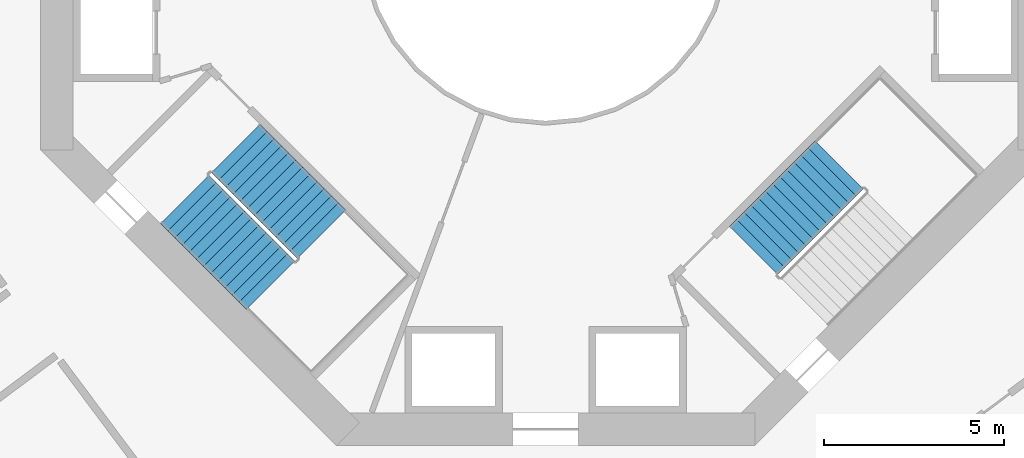
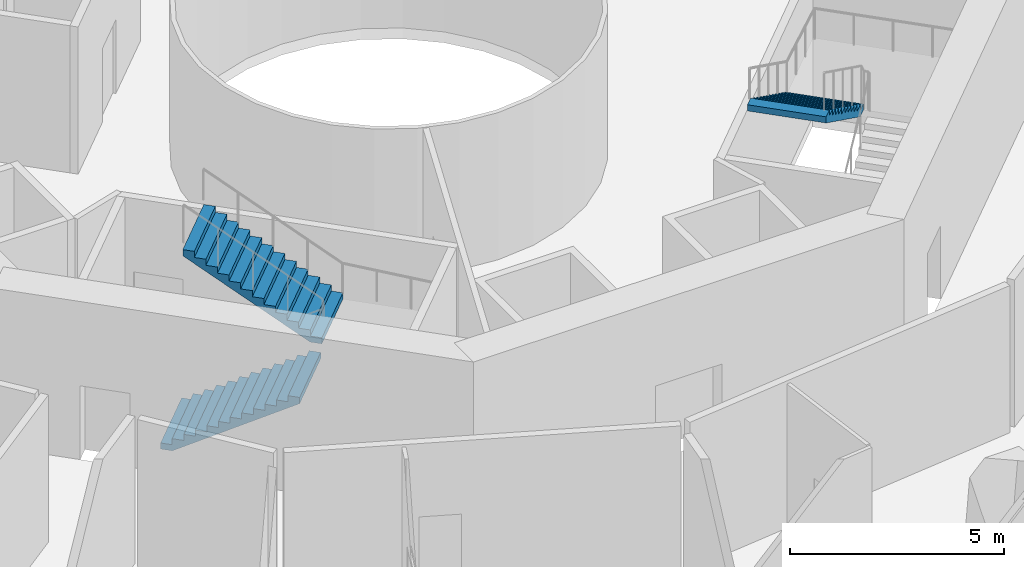
# One storey, part 15 of 17: 3 stair flights, 2 elements without a shape of their own.
"""IFC4 building model written with IfcOpenShell, lengths in metres."""

from ifc_helpers import new_model, si_unit, direction, frame, origin, place, context, subcontext, project, spatial, triangles, material, type_object, element, aggregate, save


model = new_model("IFC4")

# Units and contexts
model_context = context("Model", 3, precision=1e-05, world=origin(), true_north=direction((0.0, 1.0)))
body_context = subcontext(model_context, "Body", "Model", "MODEL_VIEW")
ifc_project = project(units=[si_unit("LENGTHUNIT", "METRE"), si_unit("AREAUNIT", "SQUARE_METRE"), si_unit("VOLUMEUNIT", "CUBIC_METRE"), si_unit("PLANEANGLEUNIT", "RADIAN"), si_unit("MASSUNIT", "GRAM", prefix="KILO")], contexts=[model_context])

# Site, building, storey
site_placement = place(None, origin())
site = spatial("IfcSite", under=ifc_project, at=site_placement, CompositionType="ELEMENT")
building_placement = place(site_placement, origin())
building = spatial("IfcBuilding", under=site, at=building_placement, Name="Verdalira Terraces Hotel", CompositionType="ELEMENT")
storey_placement = place(building_placement, frame((0.0, 0.0, 60.0)))
storey = spatial("IfcBuildingStorey", under=building, at=storey_placement, Name="L13", CompositionType="ELEMENT", Elevation=60.0)

# Stair, stair flights
ifc_material_1 = material(Name="Concrete C40", Category="concrete")
stair_type = type_object("IfcStairType", Name="Core stair 26 risers 1900 mm wide", PredefinedType="HALF_TURN_STAIR", material=ifc_material_1)
stair_1_placement = place(storey_placement, origin())
stair_1 = element("IfcStair", 1, at=stair_1_placement, inside=storey, type_object=stair_type, Name="L13 Exit stair ST2", PredefinedType="HALF_TURN_STAIR")
ifc_material_2 = material(Name="Concrete C40", Category="concrete")
stair_flight_type = type_object("IfcStairFlightType", Name="Core stair flight 26 risers 1900 mm wide", PredefinedType="STRAIGHT", material=ifc_material_2)
stair_flight_1_placement = place(storey_placement, frame((-10.005615, -7.177246, 0.0), z_axis=(0.0, 0.0, 1.0), x_axis=(0.707106781, -0.707106781, 0.0)))
stair_flight_1 = element("IfcStairFlight", 2, at=stair_flight_1_placement, type_object=stair_flight_type, Name="ST2 flight 1", NumberOfRisers=13, NumberOfTreads=12, PredefinedType="STRAIGHT", RiserHeight=0.173076923, TreadLength=0.28, context=body_context, shape_type="Tessellation", body=[
    triangles([(0.0, 0.949951, 0.0), (0.285156, 0.949951, 0.0), (3.360107, 0.949951, 1.900635), (0.0, -0.949951, 0.0), (0.285156, -0.949951, 0.0), (3.360107, -0.949951, 1.900635), (3.360107, 0.949951, 2.076904), (3.080078, 0.949951, 2.076904), (3.360107, -0.949951, 2.076904), (3.080078, -0.949951, 2.076904), (3.080078, 0.949951, 1.903809), (3.080078, -0.949951, 1.903809), (2.800049, 0.949951, 1.903809), (2.800049, -0.949951, 1.903809), (2.800049, 0.949951, 1.730713), (2.800049, -0.949951, 1.730713), (2.52002, 0.949951, 1.730713), (2.52002, 0.949951, 1.557617), (2.52002, -0.949951, 1.730713), (2.52002, -0.949951, 1.557617), (2.23999, 0.949951, 1.557617), (2.23999, 0.949951, 1.384521), (2.23999, -0.949951, 1.557617), (2.23999, -0.949951, 1.384521), (1.959961, 0.949951, 1.384521), (1.959961, 0.949951, 1.211426), (1.959961, -0.949951, 1.384521), (1.959961, -0.949951, 1.211426), (1.679932, 0.949951, 1.211426), (1.679932, 0.949951, 1.038574), (1.679932, -0.949951, 1.211426), (1.679932, -0.949951, 1.038574), (1.399902, 0.949951, 1.038574), (1.399902, 0.949951, 0.865479), (1.399902, -0.949951, 1.038574), (1.399902, -0.949951, 0.865479), (1.120117, 0.949951, 0.865479), (1.120117, 0.949951, 0.692383), (1.120117, -0.949951, 0.865479), (1.120117, -0.949951, 0.692383), (0.840088, 0.949951, 0.692383), (0.840088, 0.949951, 0.519287), (0.840088, -0.949951, 0.692383), (0.840088, -0.949951, 0.519287), (0.560059, 0.949951, 0.519287), (0.560059, 0.949951, 0.346191), (0.560059, -0.949951, 0.519287), (0.560059, -0.949951, 0.346191), (0.280029, 0.949951, 0.346191), (0.280029, 0.949951, 0.173096), (0.280029, -0.949951, 0.346191), (0.280029, -0.949951, 0.173096), (0.0, 0.949951, 0.173096), (0.0, -0.949951, 0.173096), (0.0, -0.890579, 0.0), (0.0, -0.890579, 0.173096), (0.0, -0.831207, 0.0), (0.0, -0.831207, 0.173096), (0.0, -0.771835, 0.0), (0.0, -0.771835, 0.173096), (0.0, -0.712463, 0.0), (0.0, -0.712463, 0.173096), (0.0, -0.653091, 0.0), (0.0, -0.653091, 0.173096), (0.0, -0.593719, 0.0), (0.0, -0.593719, 0.173096), (0.0, -0.534348, 0.0), (0.0, -0.534348, 0.173096), (0.0, -0.474976, 0.0), (0.0, -0.474976, 0.173096), (0.0, -0.415604, 0.0), (0.0, -0.415604, 0.173096), (0.0, -0.356232, 0.0), (0.0, -0.356232, 0.173096), (0.0, -0.29686, 0.0), (0.0, -0.29686, 0.173096), (0.0, -0.237488, 0.0), (0.0, -0.237488, 0.173096), (0.0, -0.178116, 0.0), (0.0, -0.178116, 0.173096), (0.0, -0.118744, 0.0), (0.0, -0.118744, 0.173096), (0.0, -0.059372, 0.0), (0.0, -0.059372, 0.173096), (0.0, 0.0, 0.0), (0.0, 0.0, 0.173096), (0.0, 0.059372, 0.0), (0.0, 0.059372, 0.173096), (0.0, 0.118744, 0.0), (0.0, 0.118744, 0.173096), (0.0, 0.178116, 0.0), (0.0, 0.178116, 0.173096), (0.0, 0.237488, 0.0), (0.0, 0.237488, 0.173096), (0.0, 0.29686, 0.0), (0.0, 0.29686, 0.173096), (0.0, 0.356232, 0.0), (0.0, 0.356232, 0.173096), (0.0, 0.415604, 0.0), (0.0, 0.415604, 0.173096), (0.0, 0.474976, 0.0), (0.0, 0.474976, 0.173096), (0.0, 0.534348, 0.0), (0.0, 0.534348, 0.173096), (0.0, 0.593719, 0.0), (0.0, 0.593719, 0.173096), (0.0, 0.653091, 0.0), (0.0, 0.653091, 0.173096), (0.0, 0.712463, 0.0), (0.0, 0.712463, 0.173096), (0.0, 0.771835, 0.0), (0.0, 0.771835, 0.173096), (0.0, 0.831207, 0.0), (0.0, 0.831207, 0.173096), (0.0, 0.890579, 0.0), (0.0, 0.890579, 0.173096), (3.360107, -0.890579, 2.076904), (3.360107, -0.831207, 2.076904), (3.360107, -0.771835, 2.076904), (3.360107, -0.712463, 2.076904), (3.360107, -0.653091, 2.076904), (3.360107, -0.593719, 2.076904), (3.360107, -0.534348, 2.076904), (3.360107, -0.474976, 2.076904), (3.360107, -0.415604, 2.076904), (3.360107, -0.356232, 2.076904), (3.360107, -0.29686, 2.076904), (3.360107, -0.237488, 2.076904), (3.360107, -0.178116, 2.076904), (3.360107, -0.118744, 2.076904), (3.360107, -0.059372, 2.076904), (3.360107, 0.0, 2.076904), (3.360107, 0.059372, 2.076904), (3.360107, 0.118744, 2.076904), (3.360107, 0.178116, 2.076904), (3.360107, 0.237488, 2.076904), (3.360107, 0.29686, 2.076904), (3.360107, 0.356232, 2.076904), (3.360107, 0.415604, 2.076904), (3.360107, 0.474976, 2.076904), (3.360107, 0.534348, 2.076904), (3.360107, 0.593719, 2.076904), (3.360107, 0.653091, 2.076904), (3.360107, 0.712463, 2.076904), (3.360107, 0.771835, 2.076904), (3.360107, 0.831207, 2.076904), (3.360107, 0.890579, 2.076904), (3.360107, -0.890579, 1.900635), (3.360107, -0.831207, 1.900635), (3.360107, -0.771835, 1.900635), (3.360107, -0.712463, 1.900635), (3.360107, -0.653091, 1.900635), (3.360107, -0.593719, 1.900635), (3.360107, -0.534348, 1.900635), (3.360107, -0.474976, 1.900635), (3.360107, -0.415604, 1.900635), (3.360107, -0.356232, 1.900635), (3.360107, -0.29686, 1.900635), (3.360107, -0.237488, 1.900635), (3.360107, -0.178116, 1.900635), (3.360107, -0.118744, 1.900635), (3.360107, -0.059372, 1.900635), (3.360107, 0.0, 1.900635), (3.360107, 0.059372, 1.900635), (3.360107, 0.118744, 1.900635), (3.360107, 0.178116, 1.900635), (3.360107, 0.237488, 1.900635), (3.360107, 0.29686, 1.900635), (3.360107, 0.356232, 1.900635), (3.360107, 0.415604, 1.900635), (3.360107, 0.474976, 1.900635), (3.360107, 0.534348, 1.900635), (3.360107, 0.593719, 1.900635), (3.360107, 0.653091, 1.900635), (3.360107, 0.712463, 1.900635), (3.360107, 0.771835, 1.900635), (3.360107, 0.831207, 1.900635), (3.360107, 0.890579, 1.900635)], [[1, 3, 2], [4, 5, 6], [3, 8, 7], [6, 9, 10], [3, 11, 8], [6, 10, 12], [3, 13, 11], [6, 12, 14], [3, 15, 13], [6, 14, 16], [15, 18, 17], [16, 19, 20], [3, 18, 15], [6, 16, 20], [18, 22, 21], [20, 23, 24], [3, 22, 18], [6, 20, 24], [22, 26, 25], [24, 27, 28], [3, 26, 22], [6, 24, 28], [1, 26, 3], [4, 6, 28], [26, 30, 29], [28, 31, 32], [30, 34, 33], [32, 35, 36], [26, 34, 30], [28, 32, 36], [34, 38, 37], [36, 39, 40], [26, 38, 34], [28, 36, 40], [38, 42, 41], [40, 43, 44], [26, 42, 38], [28, 40, 44], [42, 46, 45], [44, 47, 48], [26, 46, 42], [28, 44, 48], [46, 50, 49], [48, 51, 52], [26, 50, 46], [28, 48, 52], [1, 50, 26], [4, 28, 52], [50, 1, 53], [52, 54, 4], [4, 56, 55], [4, 54, 56], [55, 58, 57], [55, 56, 58], [57, 60, 59], [57, 58, 60], [59, 62, 61], [59, 60, 62], [61, 64, 63], [61, 62, 64], [63, 66, 65], [63, 64, 66], [65, 68, 67], [65, 66, 68], [67, 70, 69], [67, 68, 70], [69, 72, 71], [69, 70, 72], [71, 74, 73], [71, 72, 74], [73, 76, 75], [73, 74, 76], [75, 78, 77], [75, 76, 78], [77, 80, 79], [77, 78, 80], [79, 82, 81], [79, 80, 82], [81, 84, 83], [81, 82, 84], [83, 86, 85], [83, 84, 86], [85, 88, 87], [85, 86, 88], [87, 90, 89], [87, 88, 90], [89, 92, 91], [89, 90, 92], [91, 94, 93], [91, 92, 94], [93, 96, 95], [93, 94, 96], [95, 98, 97], [95, 96, 98], [97, 100, 99], [97, 98, 100], [99, 102, 101], [99, 100, 102], [101, 104, 103], [101, 102, 104], [103, 106, 105], [103, 104, 106], [105, 108, 107], [105, 106, 108], [107, 110, 109], [107, 108, 110], [109, 112, 111], [109, 110, 112], [111, 114, 113], [111, 112, 114], [113, 116, 115], [113, 114, 116], [115, 53, 1], [115, 116, 53], [54, 52, 56], [56, 52, 58], [58, 52, 60], [60, 52, 62], [62, 52, 64], [64, 52, 66], [66, 52, 68], [68, 52, 70], [70, 52, 72], [72, 52, 74], [74, 52, 76], [76, 52, 78], [78, 52, 80], [80, 52, 82], [82, 52, 84], [84, 52, 86], [86, 52, 88], [88, 52, 90], [90, 52, 92], [92, 52, 94], [94, 52, 96], [96, 52, 98], [98, 52, 100], [100, 52, 102], [102, 52, 104], [104, 52, 106], [106, 52, 108], [108, 52, 110], [110, 52, 112], [112, 52, 114], [114, 52, 116], [116, 52, 53], [53, 52, 50], [52, 49, 50], [52, 51, 49], [51, 46, 49], [51, 48, 46], [48, 45, 46], [48, 47, 45], [47, 42, 45], [47, 44, 42], [44, 41, 42], [44, 43, 41], [43, 38, 41], [43, 40, 38], [40, 37, 38], [40, 39, 37], [39, 34, 37], [39, 36, 34], [36, 33, 34], [36, 35, 33], [35, 30, 33], [35, 32, 30], [32, 29, 30], [32, 31, 29], [31, 26, 29], [31, 28, 26], [28, 25, 26], [28, 27, 25], [27, 22, 25], [27, 24, 22], [24, 21, 22], [24, 23, 21], [23, 18, 21], [23, 20, 18], [20, 17, 18], [20, 19, 17], [19, 15, 17], [19, 16, 15], [16, 13, 15], [16, 14, 13], [14, 11, 13], [14, 12, 11], [12, 8, 11], [12, 10, 8], [9, 117, 10], [117, 118, 10], [118, 119, 10], [119, 120, 10], [120, 121, 10], [121, 122, 10], [122, 123, 10], [123, 124, 10], [124, 125, 10], [125, 126, 10], [126, 127, 10], [127, 128, 10], [128, 129, 10], [129, 130, 10], [130, 131, 10], [131, 132, 10], [132, 133, 10], [133, 134, 10], [134, 135, 10], [135, 136, 10], [136, 137, 10], [137, 138, 10], [138, 139, 10], [139, 140, 10], [140, 141, 10], [141, 142, 10], [142, 143, 10], [143, 144, 10], [144, 145, 10], [145, 146, 10], [146, 147, 10], [147, 7, 10], [7, 8, 10], [9, 148, 117], [9, 6, 148], [117, 149, 118], [117, 148, 149], [118, 150, 119], [118, 149, 150], [119, 151, 120], [119, 150, 151], [120, 152, 121], [120, 151, 152], [121, 153, 122], [121, 152, 153], [122, 154, 123], [122, 153, 154], [123, 155, 124], [123, 154, 155], [124, 156, 125], [124, 155, 156], [125, 157, 126], [125, 156, 157], [126, 158, 127], [126, 157, 158], [127, 159, 128], [127, 158, 159], [128, 160, 129], [128, 159, 160], [129, 161, 130], [129, 160, 161], [130, 162, 131], [130, 161, 162], [131, 163, 132], [131, 162, 163], [132, 164, 133], [132, 163, 164], [133, 165, 134], [133, 164, 165], [134, 166, 135], [134, 165, 166], [135, 167, 136], [135, 166, 167], [136, 168, 137], [136, 167, 168], [137, 169, 138], [137, 168, 169], [138, 170, 139], [138, 169, 170], [139, 171, 140], [139, 170, 171], [140, 172, 141], [140, 171, 172], [141, 173, 142], [141, 172, 173], [142, 174, 143], [142, 173, 174], [143, 175, 144], [143, 174, 175], [144, 176, 145], [144, 175, 176], [145, 177, 146], [145, 176, 177], [146, 178, 147], [146, 177, 178], [147, 3, 7], [147, 178, 3], [6, 5, 148], [148, 5, 149], [149, 5, 150], [150, 5, 151], [151, 5, 152], [152, 5, 153], [153, 5, 154], [154, 5, 155], [155, 5, 156], [156, 5, 157], [157, 5, 158], [158, 5, 159], [159, 5, 160], [160, 5, 161], [161, 5, 162], [162, 5, 163], [163, 5, 164], [164, 5, 165], [165, 5, 166], [166, 5, 167], [167, 5, 168], [168, 5, 169], [169, 5, 170], [170, 5, 171], [171, 5, 172], [172, 5, 173], [173, 5, 174], [174, 5, 175], [175, 5, 176], [176, 5, 177], [177, 5, 178], [178, 5, 3], [3, 5, 2], [4, 55, 5], [55, 57, 5], [57, 59, 5], [59, 61, 5], [61, 63, 5], [63, 65, 5], [65, 67, 5], [67, 69, 5], [69, 71, 5], [71, 73, 5], [73, 75, 5], [75, 77, 5], [77, 79, 5], [79, 81, 5], [81, 83, 5], [83, 85, 5], [85, 87, 5], [87, 89, 5], [89, 91, 5], [91, 93, 5], [93, 95, 5], [95, 97, 5], [97, 99, 5], [99, 101, 5], [101, 103, 5], [103, 105, 5], [105, 107, 5], [107, 109, 5], [109, 111, 5], [111, 113, 5], [113, 115, 5], [115, 1, 5], [1, 2, 5]], closed=True),
])
stair_flight_2_placement = place(storey_placement, frame((-6.215576, -8.138916, 2.25), z_axis=(0.0, 0.0, 1.0), x_axis=(-0.707106781, 0.707106781, 0.0)))
stair_flight_2 = element("IfcStairFlight", 3, at=stair_flight_2_placement, type_object=stair_flight_type, Name="ST2 flight 2", NumberOfRisers=13, NumberOfTreads=12, PredefinedType="STRAIGHT", RiserHeight=0.173076923, TreadLength=0.28, context=body_context, shape_type="Tessellation", body=[
    triangles([(0.0, 0.949951, 0.0), (0.285156, 0.949951, 0.0), (3.360107, 0.949951, 1.900635), (0.0, -0.949951, 0.0), (0.285156, -0.949951, 0.0), (3.360107, -0.949951, 1.900635), (3.360107, 0.949951, 2.076904), (3.080078, 0.949951, 2.076904), (3.360107, -0.949951, 2.076904), (3.080078, -0.949951, 2.076904), (3.080078, 0.949951, 1.903809), (3.080078, -0.949951, 1.903809), (2.800049, 0.949951, 1.903809), (2.800049, -0.949951, 1.903809), (2.800049, 0.949951, 1.730713), (2.800049, -0.949951, 1.730713), (2.52002, 0.949951, 1.730713), (2.52002, 0.949951, 1.557617), (2.52002, -0.949951, 1.730713), (2.52002, -0.949951, 1.557617), (2.23999, 0.949951, 1.557617), (2.23999, 0.949951, 1.384521), (2.23999, -0.949951, 1.557617), (2.23999, -0.949951, 1.384521), (1.959961, 0.949951, 1.384521), (1.959961, 0.949951, 1.211426), (1.959961, -0.949951, 1.384521), (1.959961, -0.949951, 1.211426), (1.679932, 0.949951, 1.211426), (1.679932, 0.949951, 1.038574), (1.679932, -0.949951, 1.211426), (1.679932, -0.949951, 1.038574), (1.399902, 0.949951, 1.038574), (1.399902, 0.949951, 0.865479), (1.399902, -0.949951, 1.038574), (1.399902, -0.949951, 0.865479), (1.120117, 0.949951, 0.865479), (1.120117, 0.949951, 0.692383), (1.120117, -0.949951, 0.865479), (1.120117, -0.949951, 0.692383), (0.840088, 0.949951, 0.692383), (0.840088, 0.949951, 0.519287), (0.840088, -0.949951, 0.692383), (0.840088, -0.949951, 0.519287), (0.560059, 0.949951, 0.519287), (0.560059, 0.949951, 0.346191), (0.560059, -0.949951, 0.519287), (0.560059, -0.949951, 0.346191), (0.280029, 0.949951, 0.346191), (0.280029, 0.949951, 0.173096), (0.280029, -0.949951, 0.346191), (0.280029, -0.949951, 0.173096), (0.0, 0.949951, 0.173096), (0.0, -0.949951, 0.173096), (0.0, -0.890579, 0.0), (0.0, -0.890579, 0.173096), (0.0, -0.831207, 0.0), (0.0, -0.831207, 0.173096), (0.0, -0.771835, 0.0), (0.0, -0.771835, 0.173096), (0.0, -0.712463, 0.0), (0.0, -0.712463, 0.173096), (0.0, -0.653091, 0.0), (0.0, -0.653091, 0.173096), (0.0, -0.593719, 0.0), (0.0, -0.593719, 0.173096), (0.0, -0.534348, 0.0), (0.0, -0.534348, 0.173096), (0.0, -0.474976, 0.0), (0.0, -0.474976, 0.173096), (0.0, -0.415604, 0.0), (0.0, -0.415604, 0.173096), (0.0, -0.356232, 0.0), (0.0, -0.356232, 0.173096), (0.0, -0.29686, 0.0), (0.0, -0.29686, 0.173096), (0.0, -0.237488, 0.0), (0.0, -0.237488, 0.173096), (0.0, -0.178116, 0.0), (0.0, -0.178116, 0.173096), (0.0, -0.118744, 0.0), (0.0, -0.118744, 0.173096), (0.0, -0.059372, 0.0), (0.0, -0.059372, 0.173096), (0.0, 0.0, 0.0), (0.0, 0.0, 0.173096), (0.0, 0.059372, 0.0), (0.0, 0.059372, 0.173096), (0.0, 0.118744, 0.0), (0.0, 0.118744, 0.173096), (0.0, 0.178116, 0.0), (0.0, 0.178116, 0.173096), (0.0, 0.237488, 0.0), (0.0, 0.237488, 0.173096), (0.0, 0.29686, 0.0), (0.0, 0.29686, 0.173096), (0.0, 0.356232, 0.0), (0.0, 0.356232, 0.173096), (0.0, 0.415604, 0.0), (0.0, 0.415604, 0.173096), (0.0, 0.474976, 0.0), (0.0, 0.474976, 0.173096), (0.0, 0.534348, 0.0), (0.0, 0.534348, 0.173096), (0.0, 0.593719, 0.0), (0.0, 0.593719, 0.173096), (0.0, 0.653091, 0.0), (0.0, 0.653091, 0.173096), (0.0, 0.712463, 0.0), (0.0, 0.712463, 0.173096), (0.0, 0.771835, 0.0), (0.0, 0.771835, 0.173096), (0.0, 0.831207, 0.0), (0.0, 0.831207, 0.173096), (0.0, 0.890579, 0.0), (0.0, 0.890579, 0.173096), (3.360107, -0.890579, 2.076904), (3.360107, -0.831207, 2.076904), (3.360107, -0.771835, 2.076904), (3.360107, -0.712463, 2.076904), (3.360107, -0.653091, 2.076904), (3.360107, -0.593719, 2.076904), (3.360107, -0.534348, 2.076904), (3.360107, -0.474976, 2.076904), (3.360107, -0.415604, 2.076904), (3.360107, -0.356232, 2.076904), (3.360107, -0.29686, 2.076904), (3.360107, -0.237488, 2.076904), (3.360107, -0.178116, 2.076904), (3.360107, -0.118744, 2.076904), (3.360107, -0.059372, 2.076904), (3.360107, 0.0, 2.076904), (3.360107, 0.059372, 2.076904), (3.360107, 0.118744, 2.076904), (3.360107, 0.178116, 2.076904), (3.360107, 0.237488, 2.076904), (3.360107, 0.29686, 2.076904), (3.360107, 0.356232, 2.076904), (3.360107, 0.415604, 2.076904), (3.360107, 0.474976, 2.076904), (3.360107, 0.534348, 2.076904), (3.360107, 0.593719, 2.076904), (3.360107, 0.653091, 2.076904), (3.360107, 0.712463, 2.076904), (3.360107, 0.771835, 2.076904), (3.360107, 0.831207, 2.076904), (3.360107, 0.890579, 2.076904), (3.360107, -0.890579, 1.900635), (3.360107, -0.831207, 1.900635), (3.360107, -0.771835, 1.900635), (3.360107, -0.712463, 1.900635), (3.360107, -0.653091, 1.900635), (3.360107, -0.593719, 1.900635), (3.360107, -0.534348, 1.900635), (3.360107, -0.474976, 1.900635), (3.360107, -0.415604, 1.900635), (3.360107, -0.356232, 1.900635), (3.360107, -0.29686, 1.900635), (3.360107, -0.237488, 1.900635), (3.360107, -0.178116, 1.900635), (3.360107, -0.118744, 1.900635), (3.360107, -0.059372, 1.900635), (3.360107, 0.0, 1.900635), (3.360107, 0.059372, 1.900635), (3.360107, 0.118744, 1.900635), (3.360107, 0.178116, 1.900635), (3.360107, 0.237488, 1.900635), (3.360107, 0.29686, 1.900635), (3.360107, 0.356232, 1.900635), (3.360107, 0.415604, 1.900635), (3.360107, 0.474976, 1.900635), (3.360107, 0.534348, 1.900635), (3.360107, 0.593719, 1.900635), (3.360107, 0.653091, 1.900635), (3.360107, 0.712463, 1.900635), (3.360107, 0.771835, 1.900635), (3.360107, 0.831207, 1.900635), (3.360107, 0.890579, 1.900635)], [[1, 3, 2], [4, 5, 6], [3, 8, 7], [6, 9, 10], [3, 11, 8], [6, 10, 12], [3, 13, 11], [6, 12, 14], [3, 15, 13], [6, 14, 16], [15, 18, 17], [16, 19, 20], [3, 18, 15], [6, 16, 20], [18, 22, 21], [20, 23, 24], [3, 22, 18], [6, 20, 24], [22, 26, 25], [24, 27, 28], [3, 26, 22], [6, 24, 28], [1, 26, 3], [4, 6, 28], [26, 30, 29], [28, 31, 32], [30, 34, 33], [32, 35, 36], [26, 34, 30], [28, 32, 36], [34, 38, 37], [36, 39, 40], [26, 38, 34], [28, 36, 40], [38, 42, 41], [40, 43, 44], [26, 42, 38], [28, 40, 44], [42, 46, 45], [44, 47, 48], [26, 46, 42], [28, 44, 48], [46, 50, 49], [48, 51, 52], [26, 50, 46], [28, 48, 52], [1, 50, 26], [4, 28, 52], [50, 1, 53], [52, 54, 4], [4, 56, 55], [4, 54, 56], [55, 58, 57], [55, 56, 58], [57, 60, 59], [57, 58, 60], [59, 62, 61], [59, 60, 62], [61, 64, 63], [61, 62, 64], [63, 66, 65], [63, 64, 66], [65, 68, 67], [65, 66, 68], [67, 70, 69], [67, 68, 70], [69, 72, 71], [69, 70, 72], [71, 74, 73], [71, 72, 74], [73, 76, 75], [73, 74, 76], [75, 78, 77], [75, 76, 78], [77, 80, 79], [77, 78, 80], [79, 82, 81], [79, 80, 82], [81, 84, 83], [81, 82, 84], [83, 86, 85], [83, 84, 86], [85, 88, 87], [85, 86, 88], [87, 90, 89], [87, 88, 90], [89, 92, 91], [89, 90, 92], [91, 94, 93], [91, 92, 94], [93, 96, 95], [93, 94, 96], [95, 98, 97], [95, 96, 98], [97, 100, 99], [97, 98, 100], [99, 102, 101], [99, 100, 102], [101, 104, 103], [101, 102, 104], [103, 106, 105], [103, 104, 106], [105, 108, 107], [105, 106, 108], [107, 110, 109], [107, 108, 110], [109, 112, 111], [109, 110, 112], [111, 114, 113], [111, 112, 114], [113, 116, 115], [113, 114, 116], [115, 53, 1], [115, 116, 53], [54, 52, 56], [56, 52, 58], [58, 52, 60], [60, 52, 62], [62, 52, 64], [64, 52, 66], [66, 52, 68], [68, 52, 70], [70, 52, 72], [72, 52, 74], [74, 52, 76], [76, 52, 78], [78, 52, 80], [80, 52, 82], [82, 52, 84], [84, 52, 86], [86, 52, 88], [88, 52, 90], [90, 52, 92], [92, 52, 94], [94, 52, 96], [96, 52, 98], [98, 52, 100], [100, 52, 102], [102, 52, 104], [104, 52, 106], [106, 52, 108], [108, 52, 110], [110, 52, 112], [112, 52, 114], [114, 52, 116], [116, 52, 53], [53, 52, 50], [52, 49, 50], [52, 51, 49], [51, 46, 49], [51, 48, 46], [48, 45, 46], [48, 47, 45], [47, 42, 45], [47, 44, 42], [44, 41, 42], [44, 43, 41], [43, 38, 41], [43, 40, 38], [40, 37, 38], [40, 39, 37], [39, 34, 37], [39, 36, 34], [36, 33, 34], [36, 35, 33], [35, 30, 33], [35, 32, 30], [32, 29, 30], [32, 31, 29], [31, 26, 29], [31, 28, 26], [28, 25, 26], [28, 27, 25], [27, 22, 25], [27, 24, 22], [24, 21, 22], [24, 23, 21], [23, 18, 21], [23, 20, 18], [20, 17, 18], [20, 19, 17], [19, 15, 17], [19, 16, 15], [16, 13, 15], [16, 14, 13], [14, 11, 13], [14, 12, 11], [12, 8, 11], [12, 10, 8], [9, 117, 10], [117, 118, 10], [118, 119, 10], [119, 120, 10], [120, 121, 10], [121, 122, 10], [122, 123, 10], [123, 124, 10], [124, 125, 10], [125, 126, 10], [126, 127, 10], [127, 128, 10], [128, 129, 10], [129, 130, 10], [130, 131, 10], [131, 132, 10], [132, 133, 10], [133, 134, 10], [134, 135, 10], [135, 136, 10], [136, 137, 10], [137, 138, 10], [138, 139, 10], [139, 140, 10], [140, 141, 10], [141, 142, 10], [142, 143, 10], [143, 144, 10], [144, 145, 10], [145, 146, 10], [146, 147, 10], [147, 7, 10], [7, 8, 10], [9, 148, 117], [9, 6, 148], [117, 149, 118], [117, 148, 149], [118, 150, 119], [118, 149, 150], [119, 151, 120], [119, 150, 151], [120, 152, 121], [120, 151, 152], [121, 153, 122], [121, 152, 153], [122, 154, 123], [122, 153, 154], [123, 155, 124], [123, 154, 155], [124, 156, 125], [124, 155, 156], [125, 157, 126], [125, 156, 157], [126, 158, 127], [126, 157, 158], [127, 159, 128], [127, 158, 159], [128, 160, 129], [128, 159, 160], [129, 161, 130], [129, 160, 161], [130, 162, 131], [130, 161, 162], [131, 163, 132], [131, 162, 163], [132, 164, 133], [132, 163, 164], [133, 165, 134], [133, 164, 165], [134, 166, 135], [134, 165, 166], [135, 167, 136], [135, 166, 167], [136, 168, 137], [136, 167, 168], [137, 169, 138], [137, 168, 169], [138, 170, 139], [138, 169, 170], [139, 171, 140], [139, 170, 171], [140, 172, 141], [140, 171, 172], [141, 173, 142], [141, 172, 173], [142, 174, 143], [142, 173, 174], [143, 175, 144], [143, 174, 175], [144, 176, 145], [144, 175, 176], [145, 177, 146], [145, 176, 177], [146, 178, 147], [146, 177, 178], [147, 3, 7], [147, 178, 3], [6, 5, 148], [148, 5, 149], [149, 5, 150], [150, 5, 151], [151, 5, 152], [152, 5, 153], [153, 5, 154], [154, 5, 155], [155, 5, 156], [156, 5, 157], [157, 5, 158], [158, 5, 159], [159, 5, 160], [160, 5, 161], [161, 5, 162], [162, 5, 163], [163, 5, 164], [164, 5, 165], [165, 5, 166], [166, 5, 167], [167, 5, 168], [168, 5, 169], [169, 5, 170], [170, 5, 171], [171, 5, 172], [172, 5, 173], [173, 5, 174], [174, 5, 175], [175, 5, 176], [176, 5, 177], [177, 5, 178], [178, 5, 3], [3, 5, 2], [4, 55, 5], [55, 57, 5], [57, 59, 5], [59, 61, 5], [61, 63, 5], [63, 65, 5], [65, 67, 5], [67, 69, 5], [69, 71, 5], [71, 73, 5], [73, 75, 5], [75, 77, 5], [77, 79, 5], [79, 81, 5], [81, 83, 5], [83, 85, 5], [85, 87, 5], [87, 89, 5], [89, 91, 5], [91, 93, 5], [93, 95, 5], [95, 97, 5], [97, 99, 5], [99, 101, 5], [101, 103, 5], [103, 105, 5], [105, 107, 5], [107, 109, 5], [109, 111, 5], [111, 113, 5], [113, 115, 5], [115, 1, 5], [1, 2, 5]], closed=True),
])
aggregate(stair_1, [stair_flight_1, stair_flight_2])

# Stair, stair flight
stair_2_placement = place(storey_placement, origin())
stair_2 = element("IfcStair", 4, at=stair_2_placement, inside=storey, type_object=stair_type, Name="L13 Exit stair ST3", PredefinedType="HALF_TURN_STAIR")
stair_flight_3_placement = place(storey_placement, frame((8.138916, -6.215576, 2.25), z_axis=(0.0, 0.0, 1.0), x_axis=(-0.707106781, -0.707106781, 0.0)))
stair_flight_3 = element("IfcStairFlight", 5, at=stair_flight_3_placement, type_object=stair_flight_type, Name="ST3 flight 2", NumberOfRisers=13, NumberOfTreads=12, PredefinedType="STRAIGHT", RiserHeight=0.173076923, TreadLength=0.28, context=body_context, shape_type="Tessellation", body=[
    triangles([(0.0, 0.949951, 0.0), (0.285156, 0.949951, 0.0), (3.360107, 0.949951, 1.900635), (0.0, -0.949951, 0.0), (0.285156, -0.949951, 0.0), (3.360107, -0.949951, 1.900635), (3.360107, 0.949951, 2.076904), (3.080078, 0.949951, 2.076904), (3.360107, -0.949951, 2.076904), (3.080078, -0.949951, 2.076904), (3.080078, 0.949951, 1.903809), (3.080078, -0.949951, 1.903809), (2.800049, 0.949951, 1.903809), (2.800049, -0.949951, 1.903809), (2.800049, 0.949951, 1.730713), (2.800049, -0.949951, 1.730713), (2.52002, 0.949951, 1.730713), (2.52002, 0.949951, 1.557617), (2.52002, -0.949951, 1.730713), (2.52002, -0.949951, 1.557617), (2.23999, 0.949951, 1.557617), (2.23999, 0.949951, 1.384521), (2.23999, -0.949951, 1.557617), (2.23999, -0.949951, 1.384521), (1.959961, 0.949951, 1.384521), (1.959961, 0.949951, 1.211426), (1.959961, -0.949951, 1.384521), (1.959961, -0.949951, 1.211426), (1.679932, 0.949951, 1.211426), (1.679932, 0.949951, 1.038574), (1.679932, -0.949951, 1.211426), (1.679932, -0.949951, 1.038574), (1.399902, 0.949951, 1.038574), (1.399902, 0.949951, 0.865479), (1.399902, -0.949951, 1.038574), (1.399902, -0.949951, 0.865479), (1.120117, 0.949951, 0.865479), (1.120117, 0.949951, 0.692383), (1.120117, -0.949951, 0.865479), (1.120117, -0.949951, 0.692383), (0.840088, 0.949951, 0.692383), (0.840088, 0.949951, 0.519287), (0.840088, -0.949951, 0.692383), (0.840088, -0.949951, 0.519287), (0.560059, 0.949951, 0.519287), (0.560059, 0.949951, 0.346191), (0.560059, -0.949951, 0.519287), (0.560059, -0.949951, 0.346191), (0.280029, 0.949951, 0.346191), (0.280029, 0.949951, 0.173096), (0.280029, -0.949951, 0.346191), (0.280029, -0.949951, 0.173096), (0.0, 0.949951, 0.173096), (0.0, -0.949951, 0.173096), (0.0, -0.890579, 0.0), (0.0, -0.890579, 0.173096), (0.0, -0.831207, 0.0), (0.0, -0.831207, 0.173096), (0.0, -0.771835, 0.0), (0.0, -0.771835, 0.173096), (0.0, -0.712463, 0.0), (0.0, -0.712463, 0.173096), (0.0, -0.653091, 0.0), (0.0, -0.653091, 0.173096), (0.0, -0.593719, 0.0), (0.0, -0.593719, 0.173096), (0.0, -0.534348, 0.0), (0.0, -0.534348, 0.173096), (0.0, -0.474976, 0.0), (0.0, -0.474976, 0.173096), (0.0, -0.415604, 0.0), (0.0, -0.415604, 0.173096), (0.0, -0.356232, 0.0), (0.0, -0.356232, 0.173096), (0.0, -0.29686, 0.0), (0.0, -0.29686, 0.173096), (0.0, -0.237488, 0.0), (0.0, -0.237488, 0.173096), (0.0, -0.178116, 0.0), (0.0, -0.178116, 0.173096), (0.0, -0.118744, 0.0), (0.0, -0.118744, 0.173096), (0.0, -0.059372, 0.0), (0.0, -0.059372, 0.173096), (0.0, 0.0, 0.0), (0.0, 0.0, 0.173096), (0.0, 0.059372, 0.0), (0.0, 0.059372, 0.173096), (0.0, 0.118744, 0.0), (0.0, 0.118744, 0.173096), (0.0, 0.178116, 0.0), (0.0, 0.178116, 0.173096), (0.0, 0.237488, 0.0), (0.0, 0.237488, 0.173096), (0.0, 0.29686, 0.0), (0.0, 0.29686, 0.173096), (0.0, 0.356232, 0.0), (0.0, 0.356232, 0.173096), (0.0, 0.415604, 0.0), (0.0, 0.415604, 0.173096), (0.0, 0.474976, 0.0), (0.0, 0.474976, 0.173096), (0.0, 0.534348, 0.0), (0.0, 0.534348, 0.173096), (0.0, 0.593719, 0.0), (0.0, 0.593719, 0.173096), (0.0, 0.653091, 0.0), (0.0, 0.653091, 0.173096), (0.0, 0.712463, 0.0), (0.0, 0.712463, 0.173096), (0.0, 0.771835, 0.0), (0.0, 0.771835, 0.173096), (0.0, 0.831207, 0.0), (0.0, 0.831207, 0.173096), (0.0, 0.890579, 0.0), (0.0, 0.890579, 0.173096), (3.360107, -0.890579, 2.076904), (3.360107, -0.831207, 2.076904), (3.360107, -0.771835, 2.076904), (3.360107, -0.712463, 2.076904), (3.360107, -0.653091, 2.076904), (3.360107, -0.593719, 2.076904), (3.360107, -0.534348, 2.076904), (3.360107, -0.474976, 2.076904), (3.360107, -0.415604, 2.076904), (3.360107, -0.356232, 2.076904), (3.360107, -0.29686, 2.076904), (3.360107, -0.237488, 2.076904), (3.360107, -0.178116, 2.076904), (3.360107, -0.118744, 2.076904), (3.360107, -0.059372, 2.076904), (3.360107, 0.0, 2.076904), (3.360107, 0.059372, 2.076904), (3.360107, 0.118744, 2.076904), (3.360107, 0.178116, 2.076904), (3.360107, 0.237488, 2.076904), (3.360107, 0.29686, 2.076904), (3.360107, 0.356232, 2.076904), (3.360107, 0.415604, 2.076904), (3.360107, 0.474976, 2.076904), (3.360107, 0.534348, 2.076904), (3.360107, 0.593719, 2.076904), (3.360107, 0.653091, 2.076904), (3.360107, 0.712463, 2.076904), (3.360107, 0.771835, 2.076904), (3.360107, 0.831207, 2.076904), (3.360107, 0.890579, 2.076904), (3.360107, -0.890579, 1.900635), (3.360107, -0.831207, 1.900635), (3.360107, -0.771835, 1.900635), (3.360107, -0.712463, 1.900635), (3.360107, -0.653091, 1.900635), (3.360107, -0.593719, 1.900635), (3.360107, -0.534348, 1.900635), (3.360107, -0.474976, 1.900635), (3.360107, -0.415604, 1.900635), (3.360107, -0.356232, 1.900635), (3.360107, -0.29686, 1.900635), (3.360107, -0.237488, 1.900635), (3.360107, -0.178116, 1.900635), (3.360107, -0.118744, 1.900635), (3.360107, -0.059372, 1.900635), (3.360107, 0.0, 1.900635), (3.360107, 0.059372, 1.900635), (3.360107, 0.118744, 1.900635), (3.360107, 0.178116, 1.900635), (3.360107, 0.237488, 1.900635), (3.360107, 0.29686, 1.900635), (3.360107, 0.356232, 1.900635), (3.360107, 0.415604, 1.900635), (3.360107, 0.474976, 1.900635), (3.360107, 0.534348, 1.900635), (3.360107, 0.593719, 1.900635), (3.360107, 0.653091, 1.900635), (3.360107, 0.712463, 1.900635), (3.360107, 0.771835, 1.900635), (3.360107, 0.831207, 1.900635), (3.360107, 0.890579, 1.900635)], [[1, 3, 2], [4, 5, 6], [3, 8, 7], [6, 9, 10], [3, 11, 8], [6, 10, 12], [3, 13, 11], [6, 12, 14], [3, 15, 13], [6, 14, 16], [15, 18, 17], [16, 19, 20], [3, 18, 15], [6, 16, 20], [18, 22, 21], [20, 23, 24], [3, 22, 18], [6, 20, 24], [22, 26, 25], [24, 27, 28], [3, 26, 22], [6, 24, 28], [1, 26, 3], [4, 6, 28], [26, 30, 29], [28, 31, 32], [30, 34, 33], [32, 35, 36], [26, 34, 30], [28, 32, 36], [34, 38, 37], [36, 39, 40], [26, 38, 34], [28, 36, 40], [38, 42, 41], [40, 43, 44], [26, 42, 38], [28, 40, 44], [42, 46, 45], [44, 47, 48], [26, 46, 42], [28, 44, 48], [46, 50, 49], [48, 51, 52], [26, 50, 46], [28, 48, 52], [1, 50, 26], [4, 28, 52], [50, 1, 53], [52, 54, 4], [4, 56, 55], [4, 54, 56], [55, 58, 57], [55, 56, 58], [57, 60, 59], [57, 58, 60], [59, 62, 61], [59, 60, 62], [61, 64, 63], [61, 62, 64], [63, 66, 65], [63, 64, 66], [65, 68, 67], [65, 66, 68], [67, 70, 69], [67, 68, 70], [69, 72, 71], [69, 70, 72], [71, 74, 73], [71, 72, 74], [73, 76, 75], [73, 74, 76], [75, 78, 77], [75, 76, 78], [77, 80, 79], [77, 78, 80], [79, 82, 81], [79, 80, 82], [81, 84, 83], [81, 82, 84], [83, 86, 85], [83, 84, 86], [85, 88, 87], [85, 86, 88], [87, 90, 89], [87, 88, 90], [89, 92, 91], [89, 90, 92], [91, 94, 93], [91, 92, 94], [93, 96, 95], [93, 94, 96], [95, 98, 97], [95, 96, 98], [97, 100, 99], [97, 98, 100], [99, 102, 101], [99, 100, 102], [101, 104, 103], [101, 102, 104], [103, 106, 105], [103, 104, 106], [105, 108, 107], [105, 106, 108], [107, 110, 109], [107, 108, 110], [109, 112, 111], [109, 110, 112], [111, 114, 113], [111, 112, 114], [113, 116, 115], [113, 114, 116], [115, 53, 1], [115, 116, 53], [54, 52, 56], [56, 52, 58], [58, 52, 60], [60, 52, 62], [62, 52, 64], [64, 52, 66], [66, 52, 68], [68, 52, 70], [70, 52, 72], [72, 52, 74], [74, 52, 76], [76, 52, 78], [78, 52, 80], [80, 52, 82], [82, 52, 84], [84, 52, 86], [86, 52, 88], [88, 52, 90], [90, 52, 92], [92, 52, 94], [94, 52, 96], [96, 52, 98], [98, 52, 100], [100, 52, 102], [102, 52, 104], [104, 52, 106], [106, 52, 108], [108, 52, 110], [110, 52, 112], [112, 52, 114], [114, 52, 116], [116, 52, 53], [53, 52, 50], [52, 49, 50], [52, 51, 49], [51, 46, 49], [51, 48, 46], [48, 45, 46], [48, 47, 45], [47, 42, 45], [47, 44, 42], [44, 41, 42], [44, 43, 41], [43, 38, 41], [43, 40, 38], [40, 37, 38], [40, 39, 37], [39, 34, 37], [39, 36, 34], [36, 33, 34], [36, 35, 33], [35, 30, 33], [35, 32, 30], [32, 29, 30], [32, 31, 29], [31, 26, 29], [31, 28, 26], [28, 25, 26], [28, 27, 25], [27, 22, 25], [27, 24, 22], [24, 21, 22], [24, 23, 21], [23, 18, 21], [23, 20, 18], [20, 17, 18], [20, 19, 17], [19, 15, 17], [19, 16, 15], [16, 13, 15], [16, 14, 13], [14, 11, 13], [14, 12, 11], [12, 8, 11], [12, 10, 8], [9, 117, 10], [117, 118, 10], [118, 119, 10], [119, 120, 10], [120, 121, 10], [121, 122, 10], [122, 123, 10], [123, 124, 10], [124, 125, 10], [125, 126, 10], [126, 127, 10], [127, 128, 10], [128, 129, 10], [129, 130, 10], [130, 131, 10], [131, 132, 10], [132, 133, 10], [133, 134, 10], [134, 135, 10], [135, 136, 10], [136, 137, 10], [137, 138, 10], [138, 139, 10], [139, 140, 10], [140, 141, 10], [141, 142, 10], [142, 143, 10], [143, 144, 10], [144, 145, 10], [145, 146, 10], [146, 147, 10], [147, 7, 10], [7, 8, 10], [9, 148, 117], [9, 6, 148], [117, 149, 118], [117, 148, 149], [118, 150, 119], [118, 149, 150], [119, 151, 120], [119, 150, 151], [120, 152, 121], [120, 151, 152], [121, 153, 122], [121, 152, 153], [122, 154, 123], [122, 153, 154], [123, 155, 124], [123, 154, 155], [124, 156, 125], [124, 155, 156], [125, 157, 126], [125, 156, 157], [126, 158, 127], [126, 157, 158], [127, 159, 128], [127, 158, 159], [128, 160, 129], [128, 159, 160], [129, 161, 130], [129, 160, 161], [130, 162, 131], [130, 161, 162], [131, 163, 132], [131, 162, 163], [132, 164, 133], [132, 163, 164], [133, 165, 134], [133, 164, 165], [134, 166, 135], [134, 165, 166], [135, 167, 136], [135, 166, 167], [136, 168, 137], [136, 167, 168], [137, 169, 138], [137, 168, 169], [138, 170, 139], [138, 169, 170], [139, 171, 140], [139, 170, 171], [140, 172, 141], [140, 171, 172], [141, 173, 142], [141, 172, 173], [142, 174, 143], [142, 173, 174], [143, 175, 144], [143, 174, 175], [144, 176, 145], [144, 175, 176], [145, 177, 146], [145, 176, 177], [146, 178, 147], [146, 177, 178], [147, 3, 7], [147, 178, 3], [6, 5, 148], [148, 5, 149], [149, 5, 150], [150, 5, 151], [151, 5, 152], [152, 5, 153], [153, 5, 154], [154, 5, 155], [155, 5, 156], [156, 5, 157], [157, 5, 158], [158, 5, 159], [159, 5, 160], [160, 5, 161], [161, 5, 162], [162, 5, 163], [163, 5, 164], [164, 5, 165], [165, 5, 166], [166, 5, 167], [167, 5, 168], [168, 5, 169], [169, 5, 170], [170, 5, 171], [171, 5, 172], [172, 5, 173], [173, 5, 174], [174, 5, 175], [175, 5, 176], [176, 5, 177], [177, 5, 178], [178, 5, 3], [3, 5, 2], [4, 55, 5], [55, 57, 5], [57, 59, 5], [59, 61, 5], [61, 63, 5], [63, 65, 5], [65, 67, 5], [67, 69, 5], [69, 71, 5], [71, 73, 5], [73, 75, 5], [75, 77, 5], [77, 79, 5], [79, 81, 5], [81, 83, 5], [83, 85, 5], [85, 87, 5], [87, 89, 5], [89, 91, 5], [91, 93, 5], [93, 95, 5], [95, 97, 5], [97, 99, 5], [99, 101, 5], [101, 103, 5], [103, 105, 5], [105, 107, 5], [107, 109, 5], [109, 111, 5], [111, 113, 5], [113, 115, 5], [115, 1, 5], [1, 2, 5]], closed=True),
])
aggregate(stair_2, [stair_flight_3])

save(model, "model.ifc")
